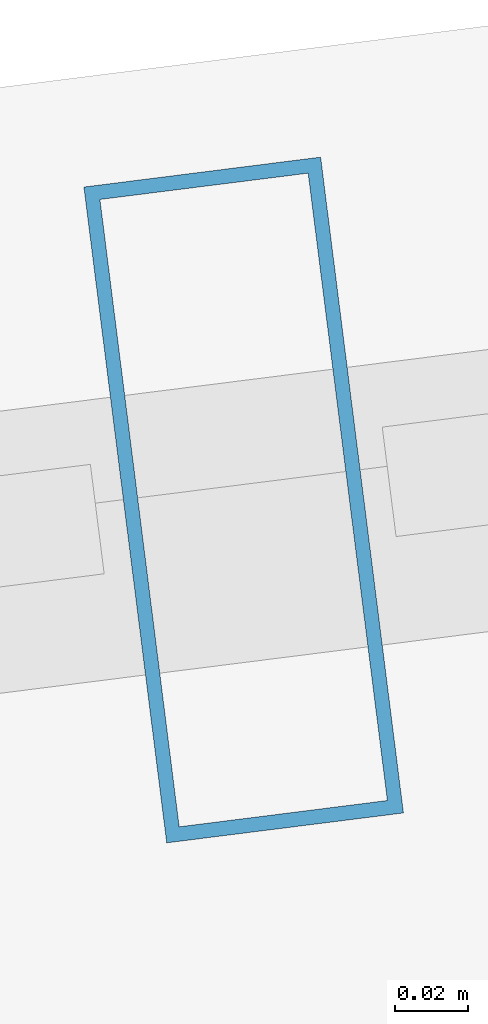
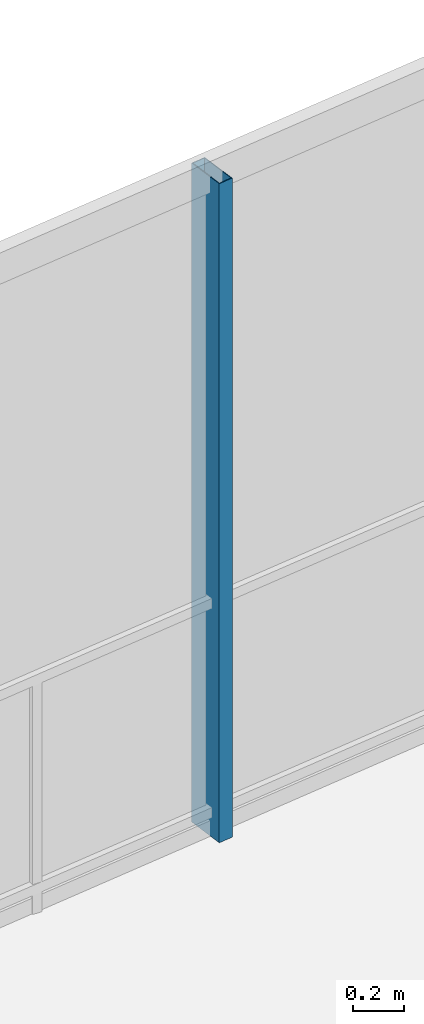
# One storey, part 18 of 30: 1 member, 1 element without a shape of its own.
"""IFC4 building model written with IfcOpenShell, lengths in metres."""

from ifc_helpers import new_model, si_unit, direction, frame, origin, origin_2d, place, context, subcontext, project, spatial, hollow_rectangle, extrude, material, layer, layer_set, material_profile, profile_set, type_object, element, aggregate, save


model = new_model("IFC4")

# Units and contexts
model_context = context("Model", 3, precision=1e-05, world=origin(), true_north=direction((0.0, 1.0)))
body_context = subcontext(model_context, "Body", "Model", "MODEL_VIEW")
ifc_project = project(units=[si_unit("LENGTHUNIT", "METRE"), si_unit("AREAUNIT", "SQUARE_METRE"), si_unit("VOLUMEUNIT", "CUBIC_METRE"), si_unit("PLANEANGLEUNIT", "RADIAN"), si_unit("MASSUNIT", "GRAM", prefix="KILO")], contexts=[model_context])

# Site, building, storey
site_placement = place(None, origin())
site = spatial("IfcSite", under=ifc_project, at=site_placement, CompositionType="ELEMENT")
building_placement = place(site_placement, origin())
building = spatial("IfcBuilding", under=site, at=building_placement, Name="Qarnah Convention Tower", CompositionType="ELEMENT")
storey_placement = place(building_placement, frame((0.0, 0.0, 93.60009765625)))
storey = spatial("IfcBuildingStorey", under=building, at=storey_placement, Name="L24", CompositionType="ELEMENT", Elevation=93.60009765625)

# Curtain wall, member
ifc_material_1 = material(Name="Tempered Low-E dark glass", Category="glass")
ifc_layer = layer(ifc_material_1, 0.169921875)
ifc_layer_set = layer_set([ifc_layer], Name="Tempered Low-E dark glass")
curtain_wall_type = type_object("IfcCurtainWallType", Name="CWS-02", PredefinedType="NOTDEFINED", material=ifc_layer_set)
curtain_wall_placement = place(storey_placement, origin())
curtain_wall = element("IfcCurtainWall", 1, at=curtain_wall_placement, inside=storey, type_object=curtain_wall_type, Name="L24 unitised curtain wall CW-L24-F1", PredefinedType="NOTDEFINED")
ifc_material_2 = material(Name="Black anodised aluminium", Category="aluminium")
ifc_material_profile = material_profile(ifc_material_2, hollow_rectangle(XDim=0.06494140625, YDim=0.179931640625, WallThickness=0.00390625, at=origin_2d()), Name="MUL-65X180")
ifc_profile_set = profile_set([ifc_material_profile], Name="Black anodised aluminium")
member_type = type_object("IfcMemberType", Name="MUL-T2", PredefinedType="MULLION", material=ifc_profile_set)
member_placement = place(storey_placement, frame((32.499267578125, 43.4453125, 0.0), z_axis=(0.0, 0.0, 1.0), x_axis=(0.992119561144, 0.125294758056, 0.0)))
member = element("IfcMember", 2, at=member_placement, type_object=member_type, Name="CW-L24-F1 mullion 3", PredefinedType="MULLION", context=body_context, shape_type="SweptSolid", body=[
    extrude(hollow_rectangle(XDim=0.06494140625, YDim=0.179931640625, WallThickness=0.00390625, at=origin_2d()), origin(), (0.0, 0.0, 1.0), 3.169921875),
])
aggregate(curtain_wall, [member])

save(model, "model.ifc")
